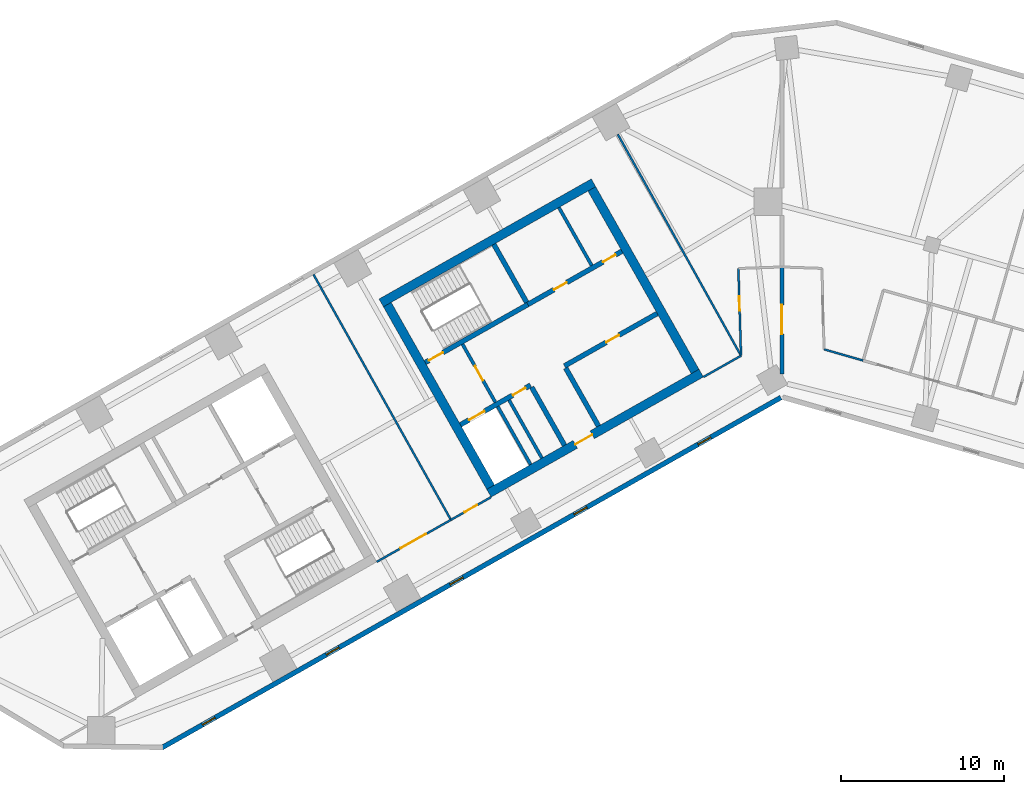
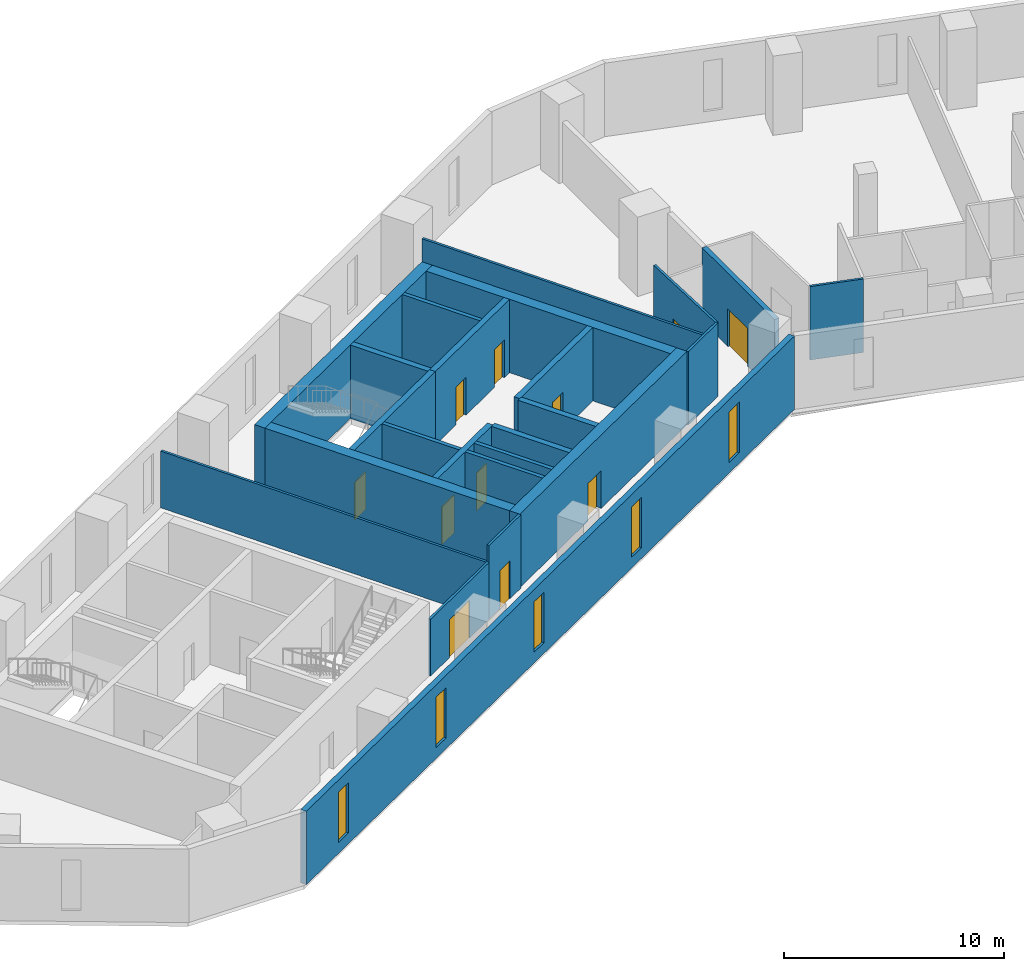
# One storey, part 4 of 10: 24 walls, 12 doors, 5 windows, 17 openings.
"""IFC4 building model written with IfcOpenShell, lengths in metres."""

import ifcopenshell
import ifcopenshell.guid

model = None  # the IFC model being written
_history = None  # IfcOwnerHistory: only IFC2X3 demands one
_inside = {}  # id of a spatial element -> (the spatial element, [elements in it])
_under = {}  # id of a project, library or spatial element -> (it, [spatial elements below it])
_declared = {}  # id of a project -> (the project, [libraries it declares])
_typed = {}  # id of a type object -> (the type object, [elements of that type])
_made_of = {}  # id of a material, layer set ... -> (it, [elements and type objects made of it])


def new_model(schema):
    """Start an empty IFC model of exactly this schema.

    Asked for "IFC4X3", IfcOpenShell would pick the latest addendum, in which some entities
    have other attributes; the version numbers below select the first issue.
    IFC2X3 requires an IfcOwnerHistory on every rooted entity: one is made here for all.
    """
    global model, _history
    if schema == "IFC4X3":
        model = ifcopenshell.file(schema_version=(4, 3, 0, 0))
    else:
        model = ifcopenshell.file(schema=schema)
    _inside.clear()
    _under.clear()
    _declared.clear()
    _typed.clear()
    _made_of.clear()
    _history = None
    if model.schema == "IFC2X3":
        org = make("IfcOrganization", Name="unknown")
        user = make(
            "IfcPersonAndOrganization",
            ThePerson=make("IfcPerson", FamilyName="unknown"),
            TheOrganization=org,
        )
        app = make(
            "IfcApplication",
            ApplicationDeveloper=org,
            Version="unknown",
            ApplicationFullName="unknown",
            ApplicationIdentifier="unknown",
        )
        _history = make(
            "IfcOwnerHistory",
            OwningUser=user,
            OwningApplication=app,
            ChangeAction="ADDED",
            CreationDate=0,
        )
    return model


def make(cls, **values):
    """One entity of the class cls with the attributes given. An attribute that is None is left unset."""
    return model.create_entity(
        cls, **{name: value for name, value in values.items() if value is not None}
    )


def rooted(cls, **values):
    """An entity with a GlobalId (a new one), such as an element, a storey or a relation."""
    return make(cls, GlobalId=ifcopenshell.guid.new(), OwnerHistory=_history, **values)


def si_unit(unit_type, name, prefix=None):
    """IfcSIUnit, for example si_unit("LENGTHUNIT", "METRE", prefix="MILLI")."""
    return make("IfcSIUnit", UnitType=unit_type, Prefix=prefix, Name=name)


def assignment(units):
    """IfcUnitAssignment: the units of a project."""
    return None if units is None else make("IfcUnitAssignment", Units=units)


def point(xyz):
    """IfcCartesianPoint."""
    return None if xyz is None else make("IfcCartesianPoint", Coordinates=xyz)


def direction(xyz):
    """IfcDirection."""
    return None if xyz is None else make("IfcDirection", DirectionRatios=xyz)


def frame(location, z_axis=None, x_axis=None):
    """IfcAxis2Placement3D, a coordinate frame: its origin and axes. An axis left out is left unset."""
    return make(
        "IfcAxis2Placement3D",
        Location=point(location),
        Axis=direction(z_axis),
        RefDirection=direction(x_axis),
    )


def frame_2d(location, x_axis=None):
    """IfcAxis2Placement2D, a coordinate frame in the plane: its origin and x axis."""
    return make(
        "IfcAxis2Placement2D", Location=point(location), RefDirection=direction(x_axis)
    )


def origin():
    """The frame at (0, 0, 0) with its axes left unset."""
    return frame((0.0, 0.0, 0.0))


def place(relative_to, where):
    """IfcLocalPlacement: puts the frame where relative to a parent placement (None: the world)."""
    return make(
        "IfcLocalPlacement", PlacementRelTo=relative_to, RelativePlacement=where
    )


def context(
    kind, dimensions, precision=None, world=None, true_north=None, identifier=None
):
    """IfcGeometricRepresentationContext, for example the 3D "Model" context."""
    return make(
        "IfcGeometricRepresentationContext",
        ContextIdentifier=identifier,
        ContextType=kind,
        CoordinateSpaceDimension=dimensions,
        Precision=precision,
        WorldCoordinateSystem=world,
        TrueNorth=true_north,
    )


def subcontext(parent, identifier, kind, view, scale=None):
    """IfcGeometricRepresentationSubContext, for example "Body" below "Model"."""
    return make(
        "IfcGeometricRepresentationSubContext",
        ContextIdentifier=identifier,
        ContextType=kind,
        ParentContext=parent,
        TargetScale=scale,
        TargetView=view,
    )


def project(units=None, contexts=None):
    """IfcProject with its units and contexts."""
    return rooted(
        "IfcProject",
        Name="project",
        RepresentationContexts=contexts,
        UnitsInContext=assignment(units),
    )


def spatial(cls, under=None, at=None, **own):
    """A site, building, storey or space (cls), placed at a placement, below another one or the project."""
    s = rooted(cls, ObjectPlacement=at, **own)
    if under is not None:
        _under.setdefault(under.id(), (under, []))[1].append(s)
    return s


def profile(cls, at=None, kind="AREA", **sizes):
    """A parametric profile (cls). Its sizes go by their IFC names, for example OverallWidth=200.0."""
    return make(cls, ProfileType=kind, Position=at, **sizes)


def rectangle(**sizes):
    """IfcRectangleProfileDef."""
    return profile("IfcRectangleProfileDef", **sizes)


def extrude(swept, where, along, depth):
    """IfcExtrudedAreaSolid: the profile swept, set in the frame where, extruded along a direction by depth."""
    return make(
        "IfcExtrudedAreaSolid",
        SweptArea=swept,
        Position=where,
        ExtrudedDirection=direction(along),
        Depth=depth,
    )


def shape(context_of_items, identifier, shape_type, items):
    """IfcShapeRepresentation: the items that make up one representation, for example the "Body"."""
    return make(
        "IfcShapeRepresentation",
        ContextOfItems=context_of_items,
        RepresentationIdentifier=identifier,
        RepresentationType=shape_type,
        Items=items,
    )


def material(Name=None, Category=None):
    """IfcMaterial."""
    return make("IfcMaterial", Name=Name, Category=Category)


def layer(
    of_material, thickness, ventilated=None, Name=None, Category=None, Priority=None
):
    """IfcMaterialLayer: one layer of a wall or slab, of a material (None: an air gap)."""
    return make(
        "IfcMaterialLayer",
        Material=of_material,
        LayerThickness=thickness,
        IsVentilated=ventilated,
        Name=Name,
        Category=Category,
        Priority=Priority,
    )


def layer_set(layers, Name=None):
    """IfcMaterialLayerSet."""
    return make("IfcMaterialLayerSet", MaterialLayers=layers, LayerSetName=Name)


def made_of(thing, what):
    """Note that an element or type object is made of a material, layer set ...; save() writes the relation."""
    if what is not None:
        _made_of.setdefault(what.id(), (what, []))[1].append(thing)
    return thing


def type_object(cls, material=None, **own):
    """A type object (cls), such as IfcWallType, which elements share."""
    return made_of(rooted(cls, **own), material)


def element(
    cls,
    number,
    at=None,
    inside=None,
    cuts=None,
    type_object=None,
    material=None,
    context=None,
    identifier="Body",
    shape_type=None,
    held_by="IfcProductDefinitionShape",
    body=None,
    shapes=None,
    **own,
):
    """One element of the class cls, such as IfcWall. Its Tag is "e" and its number.

    at: its placement. inside: the storey or other place that contains it. cuts: it is an
    opening in that element (IfcRelVoidsElement). A single representation is given by context,
    identifier, shape_type and body (its items); several are given by shapes. held_by: the class
    of the entity that holds the representations. save() writes the other relations.
    """
    e = rooted(cls, Tag="e%d" % number, ObjectPlacement=at, **own)
    if body is not None:
        shapes = [shape(context, identifier, shape_type, body)]
    if shapes is not None:
        e.Representation = make(held_by, Representations=shapes)
    if inside is not None:
        _inside.setdefault(inside.id(), (inside, []))[1].append(e)
    if cuts is not None:
        rooted(
            "IfcRelVoidsElement", RelatingBuildingElement=cuts, RelatedOpeningElement=e
        )
    if type_object is not None:
        _typed.setdefault(type_object.id(), (type_object, []))[1].append(e)
    return made_of(e, material)


def fill(opening, filler):
    """IfcRelFillsElement: the door or window that sits in an opening."""
    return rooted(
        "IfcRelFillsElement",
        RelatingOpeningElement=opening,
        RelatedBuildingElement=filler,
    )


def aggregate(whole, parts):
    """IfcRelAggregates: a whole, such as a stair, and the parts it consists of."""
    return rooted("IfcRelAggregates", RelatingObject=whole, RelatedObjects=parts)


def save(model, path):
    """Write the relations noted so far, then the file.

    IfcRelAggregates (storeys below a building ...), IfcRelContainedInSpatialStructure (elements
    in a storey), IfcRelDefinesByType, IfcRelAssociatesMaterial and IfcRelDeclares: one each for
    every whole, place, type object, material and project.
    """
    for whole, parts in _under.values():
        aggregate(whole, parts)
    for where, things in _inside.values():
        rooted(
            "IfcRelContainedInSpatialStructure",
            RelatedElements=things,
            RelatingStructure=where,
        )
    for kind, things in _typed.values():
        rooted("IfcRelDefinesByType", RelatedObjects=things, RelatingType=kind)
    for what, things in _made_of.values():
        rooted("IfcRelAssociatesMaterial", RelatedObjects=things, RelatingMaterial=what)
    for by, libraries in _declared.values():
        rooted("IfcRelDeclares", RelatingContext=by, RelatedDefinitions=libraries)
    model.write(path)


model = new_model("IFC4")

# Units and contexts
model_context = context("Model", 3, precision=1e-05, world=origin(), true_north=direction((0.0, 1.0)))
body_context = subcontext(model_context, "Body", "Model", "MODEL_VIEW")
ifc_project = project(units=[si_unit("LENGTHUNIT", "METRE"), si_unit("AREAUNIT", "SQUARE_METRE"), si_unit("VOLUMEUNIT", "CUBIC_METRE"), si_unit("PLANEANGLEUNIT", "RADIAN"), si_unit("MASSUNIT", "GRAM", prefix="KILO")], contexts=[model_context])

# Site, building, storey
site_placement = place(None, origin())
site = spatial("IfcSite", under=ifc_project, at=site_placement, CompositionType="ELEMENT")
building_placement = place(site_placement, origin())
building = spatial("IfcBuilding", under=site, at=building_placement, Name="Binnacle Exchange Tower", CompositionType="ELEMENT")
storey_placement = place(building_placement, frame((0.0, 0.0, 101.5)))
storey = spatial("IfcBuildingStorey", under=building, at=storey_placement, Name="L20", CompositionType="ELEMENT", Elevation=101.5)

# Wall
ifc_material_1 = material(Name="Gypsum partition fire rated")
ifc_layer_1 = layer(ifc_material_1, 0.199951171875)
ifc_layer_set_1 = layer_set([ifc_layer_1], Name="Core partition 200")
wall_type_1 = type_object("IfcWallType", Name="Core partition 200", PredefinedType="PARTITIONING", material=ifc_layer_set_1)
wall_1_placement = place(storey_placement, frame((-13.70751953125, 59.655517578125, 0.0), z_axis=(0.0, 0.0, 1.0), x_axis=(0.492428039142, -0.870353161807, 0.0)))
element("IfcWall", 1, at=wall_1_placement, inside=storey, type_object=wall_type_1, Name="Core wall CRWC20", PredefinedType="PARTITIONING", context=body_context, shape_type="SweptSolid", body=[
    extrude(rectangle(XDim=4.10009765625, YDim=0.199951171875, at=frame_2d((2.050048828125, 0.0))), origin(), (0.0, 0.0, 1.0), 4.080078125),
])

# Wall, openings, doors
ifc_material_2 = material(Name="Concrete C70/85", Category="concrete")
ifc_layer_2 = layer(ifc_material_2, 0.300048828125)
ifc_layer_set_2 = layer_set([ifc_layer_2], Name="Core wall - front 300")
wall_type_2 = type_object("IfcWallType", Name="Core wall - front 300", PredefinedType="SOLIDWALL", material=ifc_layer_set_2)
wall_2_placement = place(storey_placement, frame((-19.76171875, 46.291748046875, 0.0), z_axis=(0.0, 0.0, 1.0), x_axis=(0.870359758983, 0.49241637863, 0.0)))
wall_2 = element("IfcWall", 2, at=wall_2_placement, inside=storey, type_object=wall_type_2, Name="Core wall CRWC2", PredefinedType="SOLIDWALL", context=body_context, shape_type="SweptSolid", body=[
    extrude(rectangle(XDim=4.9501953125, YDim=0.300048828125, at=frame_2d((2.47509765625, 0.0))), origin(), (0.0, 0.0, 1.0), 4.080078125),
])
opening_1_placement = place(wall_2_placement, frame((0.60009765625, 0.0, 0.0)))
opening_1 = element("IfcOpeningElement", 3, at=opening_1_placement, cuts=wall_2, Name="Opening LD14", PredefinedType="OPENING", context=body_context, shape_type="SweptSolid", body=[
    extrude(rectangle(XDim=1.10009765625, YDim=2.10009765625, at=frame_2d((0.550048828125, 1.050048828125))), frame((0.0, 0.159912109375, 0.0), z_axis=(0.0, -1.0, 0.0), x_axis=(1.0, 0.0, 0.0)), (0.0, 0.0, 1.0), 0.320068359375),
])
opening_2_placement = place(wall_2_placement, frame((3.699951171875, 0.0, 0.0)))
opening_2 = element("IfcOpeningElement", 4, at=opening_2_placement, cuts=wall_2, Name="Opening DC14", PredefinedType="OPENING", context=body_context, shape_type="SweptSolid", body=[
    extrude(rectangle(XDim=0.89990234375, YDim=2.10009765625, at=frame_2d((0.449951171875, 1.050048828125))), frame((0.0, 0.159912109375, 0.0), z_axis=(0.0, -1.0, 0.0), x_axis=(1.0, 0.0, 0.0)), (0.0, 0.0, 1.0), 0.320068359375),
])
ifc_material_3 = material(Name="Steel door leaf", Category="steel")
door_type_1 = type_object("IfcDoorType", Name="Fire door - lift landing 1100", OperationType="NOTDEFINED", PredefinedType="DOOR", material=ifc_material_3)
door_1_placement = place(opening_1_placement, origin())
door_1 = element("IfcDoor", 5, at=door_1_placement, inside=storey, type_object=door_type_1, Name="Landing door LD14 L20", OperationType="DOUBLE_DOOR_SLIDING", OverallHeight=2.10009765625, OverallWidth=1.10009765625, PredefinedType="DOOR", context=body_context, shape_type="SweptSolid", body=[
    extrude(rectangle(XDim=1.10009765625, YDim=2.10009765625, at=frame_2d((0.550048828125, 1.050048828125))), frame((0.0, 0.02490234375, 0.0), z_axis=(0.0, -1.0, 0.0), x_axis=(1.0, 0.0, 0.0)), (0.0, 0.0, 1.0), 0.050048828125),
])
fill(opening_1, door_1)
door_type_2 = type_object("IfcDoorType", Name="Fire door 900", OperationType="NOTDEFINED", PredefinedType="DOOR", material=ifc_material_3)
door_2_placement = place(opening_2_placement, frame((0.89990234375, 0.0, 0.0), z_axis=(0.0, 0.0, 1.0), x_axis=(-1.0, 0.0, 0.0)))
door_2 = element("IfcDoor", 6, at=door_2_placement, inside=storey, type_object=door_type_2, Name="Core room door IT STORE", OperationType="SINGLE_SWING_LEFT", OverallHeight=2.10009765625, OverallWidth=0.89990234375, PredefinedType="DOOR", context=body_context, shape_type="SweptSolid", body=[
    extrude(rectangle(XDim=0.89990234375, YDim=2.10009765625, at=frame_2d((0.449951171875, 1.050048828125))), frame((0.0, 0.02490234375, 0.0), z_axis=(0.0, -1.0, 0.0), x_axis=(1.0, 0.0, 0.0)), (0.0, 0.0, 1.0), 0.050048828125),
])
fill(opening_2, door_2)

# Wall, opening, door
wall_3_placement = place(storey_placement, frame((-13.364501953125, 49.910888671875, 0.0), z_axis=(0.0, 0.0, 1.0), x_axis=(0.870336435567, 0.492457601144, 0.0)))
wall_3 = element("IfcWall", 7, at=wall_3_placement, inside=storey, type_object=wall_type_2, Name="Core wall CRWC3", PredefinedType="SOLIDWALL", context=body_context, shape_type="SweptSolid", body=[
    extrude(rectangle(XDim=6.550048828125, YDim=0.300048828125, at=frame_2d((3.27490234375, 0.0))), origin(), (0.0, 0.0, 1.0), 4.080078125),
])
opening_3_placement = place(wall_3_placement, frame((2.949951171875, 0.0, 0.0)))
opening_3 = element("IfcOpeningElement", 8, at=opening_3_placement, cuts=wall_3, Name="Opening DC18", PredefinedType="OPENING", context=body_context, shape_type="SweptSolid", body=[
    extrude(rectangle(XDim=0.89990234375, YDim=2.10009765625, at=frame_2d((0.449951171875, 1.050048828125))), frame((0.0, 0.159912109375, 0.0), z_axis=(0.0, -1.0, 0.0), x_axis=(1.0, 0.0, 0.0)), (0.0, 0.0, 1.0), 0.320068359375),
])
door_3_placement = place(opening_3_placement, frame((0.89990234375, 0.0, 0.0), z_axis=(0.0, 0.0, 1.0), x_axis=(-1.0, 0.0, 0.0)))
door_3 = element("IfcDoor", 9, at=door_3_placement, inside=storey, type_object=door_type_2, Name="Core room door STAFF PANTRY AND STORE", OperationType="SINGLE_SWING_LEFT", OverallHeight=2.10009765625, OverallWidth=0.89990234375, PredefinedType="DOOR", context=body_context, shape_type="SweptSolid", body=[
    extrude(rectangle(XDim=0.89990234375, YDim=2.10009765625, at=frame_2d((0.449951171875, 1.050048828125))), frame((0.0, 0.02490234375, 0.0), z_axis=(0.0, -1.0, 0.0), x_axis=(1.0, 0.0, 0.0)), (0.0, 0.0, 1.0), 0.050048828125),
])
fill(opening_3, door_3)

# Wall, openings, doors
wall_4_placement = place(storey_placement, frame((-15.6181640625, 53.69140625, 0.0), z_axis=(0.0, 0.0, 1.0), x_axis=(0.870367894134, 0.492401999246, 0.0)))
wall_4 = element("IfcWall", 10, at=wall_4_placement, inside=storey, type_object=wall_type_2, Name="Core wall CRWC5", PredefinedType="SOLIDWALL", context=body_context, shape_type="SweptSolid", body=[
    extrude(rectangle(XDim=6.64990234375, YDim=0.300048828125, at=frame_2d((3.324951171875, 0.0))), origin(), (0.0, 0.0, 1.0), 4.080078125),
])
opening_4_placement = place(wall_4_placement, frame((1.85009765625, 0.0, 0.0)))
opening_4 = element("IfcOpeningElement", 11, at=opening_4_placement, cuts=wall_4, Name="Opening DC10", PredefinedType="OPENING", context=body_context, shape_type="SweptSolid", body=[
    extrude(rectangle(XDim=0.89990234375, YDim=2.10009765625, at=frame_2d((0.449951171875, 1.050048828125))), frame((0.0, 0.159912109375, 0.0), z_axis=(0.0, -1.0, 0.0), x_axis=(1.0, 0.0, 0.0)), (0.0, 0.0, 1.0), 0.320068359375),
])
opening_5_placement = place(wall_4_placement, frame((5.300048828125, 0.0, 0.0)))
opening_5 = element("IfcOpeningElement", 12, at=opening_5_placement, cuts=wall_4, Name="Opening DC11", PredefinedType="OPENING", context=body_context, shape_type="SweptSolid", body=[
    extrude(rectangle(XDim=0.89990234375, YDim=2.10009765625, at=frame_2d((0.449951171875, 1.050048828125))), frame((0.0, 0.159912109375, 0.0), z_axis=(0.0, -1.0, 0.0), x_axis=(1.0, 0.0, 0.0)), (0.0, 0.0, 1.0), 0.320068359375),
])
door_4_placement = place(opening_4_placement, origin())
door_4 = element("IfcDoor", 13, at=door_4_placement, inside=storey, type_object=door_type_2, Name="Core room door TELECOM RISER ROOM", OperationType="SINGLE_SWING_LEFT", OverallHeight=2.10009765625, OverallWidth=0.89990234375, PredefinedType="DOOR", context=body_context, shape_type="SweptSolid", body=[
    extrude(rectangle(XDim=0.89990234375, YDim=2.10009765625, at=frame_2d((0.449951171875, 1.050048828125))), frame((0.0, 0.02490234375, 0.0), z_axis=(0.0, -1.0, 0.0), x_axis=(1.0, 0.0, 0.0)), (0.0, 0.0, 1.0), 0.050048828125),
])
fill(opening_4, door_4)
door_5_placement = place(opening_5_placement, origin())
door_5 = element("IfcDoor", 14, at=door_5_placement, inside=storey, type_object=door_type_2, Name="Core room door IT STORE", OperationType="SINGLE_SWING_RIGHT", OverallHeight=2.10009765625, OverallWidth=0.89990234375, PredefinedType="DOOR", context=body_context, shape_type="SweptSolid", body=[
    extrude(rectangle(XDim=0.89990234375, YDim=2.10009765625, at=frame_2d((0.449951171875, 1.050048828125))), frame((0.0, 0.02490234375, 0.0), z_axis=(0.0, -1.0, 0.0), x_axis=(1.0, 0.0, 0.0)), (0.0, 0.0, 1.0), 0.050048828125),
])
fill(opening_5, door_5)

# Walls
wall_5_placement = place(storey_placement, frame((-15.37939453125, 48.5986328125, 0.0), z_axis=(0.0, 0.0, 1.0), x_axis=(0.492408451753, -0.87036424366, 0.0)))
element("IfcWall", 15, at=wall_5_placement, inside=storey, type_object=wall_type_2, Name="Core wall CRWC13", PredefinedType="SOLIDWALL", context=body_context, shape_type="SweptSolid", body=[
    extrude(rectangle(XDim=4.099853515625, YDim=0.300048828125, at=frame_2d((2.0498046875, 0.0))), origin(), (0.0, 0.0, 1.0), 4.080078125),
])
wall_6_placement = place(storey_placement, frame((-13.29052734375, 49.780517578125, 0.0), z_axis=(0.0, 0.0, 1.0), x_axis=(0.492382931784, -0.870378681085, 0.0)))
element("IfcWall", 16, at=wall_6_placement, inside=storey, type_object=wall_type_2, Name="Core wall CRWC15", PredefinedType="SOLIDWALL", context=body_context, shape_type="SweptSolid", body=[
    extrude(rectangle(XDim=4.10009765625, YDim=0.300048828125, at=frame_2d((2.050048828125, 0.0))), origin(), (0.0, 0.0, 1.0), 4.080078125),
])

# Wall, opening, door
ifc_layer_3 = layer(ifc_material_2, 0.550048828125)
ifc_layer_set_3 = layer_set([ifc_layer_3], Name="Core wall - outer 550")
wall_type_3 = type_object("IfcWallType", Name="Core wall - outer 550", PredefinedType="SOLIDWALL", material=ifc_layer_set_3)
wall_7_placement = place(storey_placement, frame((-18.01220703125, 42.08251953125, 0.0), z_axis=(0.0, 0.0, 1.0), x_axis=(0.870360574057, 0.492414937962, 0.0)))
wall_7 = element("IfcWall", 17, at=wall_7_placement, inside=storey, type_object=wall_type_3, Name="Core wall CRWC1", PredefinedType="SOLIDWALL", context=body_context, shape_type="SweptSolid", body=[
    extrude(rectangle(XDim=15.0, YDim=0.550048828125, at=frame_2d((7.5, 0.0))), origin(), (0.0, 0.0, 1.0), 4.080078125),
])
opening_6_placement = place(wall_7_placement, frame((6.10009765625, 0.0, 0.0)))
opening_6 = element("IfcOpeningElement", 18, at=opening_6_placement, cuts=wall_7, Name="Opening DC7", PredefinedType="OPENING", context=body_context, shape_type="SweptSolid", body=[
    extrude(rectangle(XDim=1.199951171875, YDim=2.10009765625, at=frame_2d((0.60009765625, 1.050048828125))), frame((0.0, 0.284912109375, 0.0), z_axis=(0.0, -1.0, 0.0), x_axis=(1.0, 0.0, 0.0)), (0.0, 0.0, 1.0), 0.570068359375),
])
door_type_3 = type_object("IfcDoorType", Name="Fire door 1200", OperationType="NOTDEFINED", PredefinedType="DOOR", material=ifc_material_3)
door_6_placement = place(opening_6_placement, frame((1.199951171875, 0.0, 0.0), z_axis=(0.0, 0.0, 1.0), x_axis=(-1.0, 0.0, 0.0)))
door_6 = element("IfcDoor", 19, at=door_6_placement, inside=storey, type_object=door_type_3, Name="Lift lobby entrance door core C", OperationType="SINGLE_SWING_RIGHT", OverallHeight=2.10009765625, OverallWidth=1.199951171875, PredefinedType="DOOR", context=body_context, shape_type="SweptSolid", body=[
    extrude(rectangle(XDim=1.199951171875, YDim=2.10009765625, at=frame_2d((0.60009765625, 1.050048828125))), frame((0.0, 0.02490234375, 0.0), z_axis=(0.0, -1.0, 0.0), x_axis=(1.0, 0.0, 0.0)), (0.0, 0.0, 1.0), 0.050048828125),
])
fill(opening_6, door_6)

# Walls
wall_8_placement = place(storey_placement, frame((-24.63525390625, 53.788818359375, 0.0), z_axis=(0.0, 0.0, 1.0), x_axis=(0.870360574057, 0.492414937962, 0.0)))
element("IfcWall", 20, at=wall_8_placement, inside=storey, type_object=wall_type_3, Name="Core wall CRWC6", PredefinedType="SOLIDWALL", context=body_context, shape_type="SweptSolid", body=[
    extrude(rectangle(XDim=15.0, YDim=0.550048828125, at=frame_2d((7.5, 0.0))), origin(), (0.0, 0.0, 1.0), 4.080078125),
])
for number, where, z_axis, x_axis, name in (
    (21, (-24.260498046875, 53.684814453125, 0.0), (0.0, 0.0, 1.0), (0.492427022044, -0.870353737259, 0.0), "Core wall CRWC7"),
    (22, (-11.683837890625, 60.80029296875, 0.0), (0.0, 0.0, 1.0), (0.492427022044, -0.870353737259, 0.0), "Core wall CRWC24"),
):
    element("IfcWall", number, at=place(storey_placement, frame(where, z_axis=z_axis, x_axis=x_axis)), inside=storey, type_object=wall_type_3, Name=name, PredefinedType="SOLIDWALL", context=body_context, shape_type="SweptSolid", body=[
        extrude(rectangle(XDim=12.89990234375, YDim=0.550048828125, at=frame_2d((6.449951171875, 0.0))), origin(), (0.0, 0.0, 1.0), 4.080078125),
    ])

# Wall, opening, door
ifc_layer_4 = layer(ifc_material_2, 0.300048828125)
ifc_layer_set_4 = layer_set([ifc_layer_4], Name="Core wall - stair 300")
wall_type_4 = type_object("IfcWallType", Name="Core wall - stair 300", PredefinedType="SOLIDWALL", material=ifc_layer_set_4)
wall_9_placement = place(storey_placement, frame((-21.92822265625, 50.12109375, 0.0), z_axis=(0.0, 0.0, 1.0), x_axis=(0.870340732628, 0.49245000673, 0.0)))
wall_9 = element("IfcWall", 23, at=wall_9_placement, inside=storey, type_object=wall_type_4, Name="Core wall CRWC4", PredefinedType="SOLIDWALL", context=body_context, shape_type="SweptSolid", body=[
    extrude(rectangle(XDim=7.25, YDim=0.300048828125, at=frame_2d((3.625, 0.0))), origin(), (0.0, 0.0, 1.0), 4.080078125),
])
opening_7_placement = place(wall_9_placement, frame((0.25, 0.0, 0.0)))
opening_7 = element("IfcOpeningElement", 24, at=opening_7_placement, cuts=wall_9, Name="Opening DC1", PredefinedType="OPENING", context=body_context, shape_type="SweptSolid", body=[
    extrude(rectangle(XDim=1.0, YDim=2.10009765625, at=frame_2d((0.5, 1.050048828125))), frame((0.0, 0.159912109375, 0.0), z_axis=(0.0, -1.0, 0.0), x_axis=(1.0, 0.0, 0.0)), (0.0, 0.0, 1.0), 0.320068359375),
])
door_type_4 = type_object("IfcDoorType", Name="Fire door 1000", OperationType="NOTDEFINED", PredefinedType="DOOR", material=ifc_material_3)
door_7_placement = place(opening_7_placement, origin())
door_7 = element("IfcDoor", 25, at=door_7_placement, inside=storey, type_object=door_type_4, Name="Stair door ST-C1", OperationType="SINGLE_SWING_LEFT", OverallHeight=2.10009765625, OverallWidth=1.0, PredefinedType="DOOR", context=body_context, shape_type="SweptSolid", body=[
    extrude(rectangle(XDim=1.0, YDim=2.10009765625, at=frame_2d((0.5, 1.050048828125))), frame((0.0, 0.02490234375, 0.0), z_axis=(0.0, -1.0, 0.0), x_axis=(1.0, 0.0, 0.0)), (0.0, 0.0, 1.0), 0.050048828125),
])
fill(opening_7, door_7)

# Wall
wall_10_placement = place(storey_placement, frame((-17.7109375, 57.390380859375, 0.0), z_axis=(0.0, 0.0, 1.0), x_axis=(0.492408451753, -0.87036424366, 0.0)))
element("IfcWall", 26, at=wall_10_placement, inside=storey, type_object=wall_type_4, Name="Core wall CRWC14", PredefinedType="SOLIDWALL", context=body_context, shape_type="SweptSolid", body=[
    extrude(rectangle(XDim=4.099853515625, YDim=0.300048828125, at=frame_2d((2.0498046875, 0.0))), origin(), (0.0, 0.0, 1.0), 4.080078125),
])

# Wall, openings, windows
ifc_material_4 = material(Name="Bronze aluminium cladding", Category="aluminium")
ifc_layer_5 = layer(ifc_material_4, 0.300048828125)
ifc_layer_set_5 = layer_set([ifc_layer_5], Name="External wall - spandrel 300")
wall_type_5 = type_object("IfcWallType", Name="External wall - spandrel 300", PredefinedType="STANDARD", material=ifc_layer_set_5)
wall_11_placement = place(storey_placement, frame((-0.0546875, 47.968994140625, 0.0), z_axis=(0.0, 0.0, 1.0), x_axis=(-0.870355730478, -0.492423499058, 0.0)))
wall_11 = element("IfcWall", 27, at=wall_11_placement, inside=storey, type_object=wall_type_5, Name="External wall EW-F07 L20", PredefinedType="STANDARD", context=body_context, shape_type="SweptSolid", body=[
    extrude(rectangle(XDim=43.750244140625, YDim=0.300048828125, at=frame_2d((21.875, 0.0))), origin(), (0.0, 0.0, 1.0), 4.080078125),
])
opening_8_placement = place(wall_11_placement, frame((39.976806640625, 0.0, 0.60009765625)))
opening_8 = element("IfcOpeningElement", 28, at=opening_8_placement, cuts=wall_11, Name="Opening WS2", PredefinedType="OPENING", context=body_context, shape_type="SweptSolid", body=[
    extrude(rectangle(XDim=0.89990234375, YDim=2.800048828125, at=frame_2d((0.449951171875, 1.39990234375))), frame((0.0, 0.159912109375, 0.0), z_axis=(0.0, -1.0, 0.0), x_axis=(1.0, 0.0, 0.0)), (0.0, 0.0, 1.0), 0.320068359375),
])
opening_9_placement = place(wall_11_placement, frame((31.222412109375, 0.0, 0.60009765625)))
opening_9 = element("IfcOpeningElement", 29, at=opening_9_placement, cuts=wall_11, Name="Opening WS2", PredefinedType="OPENING", context=body_context, shape_type="SweptSolid", body=[
    extrude(rectangle(XDim=0.89990234375, YDim=2.800048828125, at=frame_2d((0.449951171875, 1.39990234375))), frame((0.0, 0.159912109375, 0.0), z_axis=(0.0, -1.0, 0.0), x_axis=(1.0, 0.0, 0.0)), (0.0, 0.0, 1.0), 0.320068359375),
])
opening_10_placement = place(wall_11_placement, frame((22.4677734375, 0.0, 0.60009765625)))
opening_10 = element("IfcOpeningElement", 30, at=opening_10_placement, cuts=wall_11, Name="Opening WS2", PredefinedType="OPENING", context=body_context, shape_type="SweptSolid", body=[
    extrude(rectangle(XDim=0.89990234375, YDim=2.800048828125, at=frame_2d((0.449951171875, 1.39990234375))), frame((0.0, 0.159912109375, 0.0), z_axis=(0.0, -1.0, 0.0), x_axis=(1.0, 0.0, 0.0)), (0.0, 0.0, 1.0), 0.320068359375),
])
opening_11_placement = place(wall_11_placement, frame((13.713134765625, 0.0, 0.60009765625)))
opening_11 = element("IfcOpeningElement", 31, at=opening_11_placement, cuts=wall_11, Name="Opening WS2", PredefinedType="OPENING", context=body_context, shape_type="SweptSolid", body=[
    extrude(rectangle(XDim=0.89990234375, YDim=2.800048828125, at=frame_2d((0.449951171875, 1.39990234375))), frame((0.0, 0.159912109375, 0.0), z_axis=(0.0, -1.0, 0.0), x_axis=(1.0, 0.0, 0.0)), (0.0, 0.0, 1.0), 0.320068359375),
])
opening_12_placement = place(wall_11_placement, frame((4.958740234375, 0.0, 0.60009765625)))
opening_12 = element("IfcOpeningElement", 32, at=opening_12_placement, cuts=wall_11, Name="Opening WS2", PredefinedType="OPENING", context=body_context, shape_type="SweptSolid", body=[
    extrude(rectangle(XDim=0.89990234375, YDim=2.800048828125, at=frame_2d((0.449951171875, 1.39990234375))), frame((0.0, 0.159912109375, 0.0), z_axis=(0.0, -1.0, 0.0), x_axis=(1.0, 0.0, 0.0)), (0.0, 0.0, 1.0), 0.320068359375),
])
ifc_material_5 = material(Name="Bronze anodised aluminium frame", Category="aluminium")
window_type = type_object("IfcWindowType", Name="WS2 WINDOW 900x2800", PartitioningType="SINGLE_PANEL", PredefinedType="WINDOW", material=ifc_material_5)
window_1_placement = place(opening_8_placement, origin())
window_1 = element("IfcWindow", 33, at=window_1_placement, inside=storey, type_object=window_type, Name="Window WS2 L20", OverallHeight=2.800048828125, OverallWidth=0.89990234375, PartitioningType="SINGLE_PANEL", PredefinedType="WINDOW", context=body_context, shape_type="SweptSolid", body=[
    extrude(rectangle(XDim=0.89990234375, YDim=2.800048828125, at=frame_2d((0.449951171875, 1.39990234375))), frame((0.0, 0.030029296875, 0.0), z_axis=(0.0, -1.0, 0.0), x_axis=(1.0, 0.0, 0.0)), (0.0, 0.0, 1.0), 0.06005859375),
])
fill(opening_8, window_1)
window_2_placement = place(opening_9_placement, origin())
window_2 = element("IfcWindow", 34, at=window_2_placement, inside=storey, type_object=window_type, Name="Window WS2 L20", OverallHeight=2.800048828125, OverallWidth=0.89990234375, PartitioningType="SINGLE_PANEL", PredefinedType="WINDOW", context=body_context, shape_type="SweptSolid", body=[
    extrude(rectangle(XDim=0.89990234375, YDim=2.800048828125, at=frame_2d((0.449951171875, 1.39990234375))), frame((0.0, 0.030029296875, 0.0), z_axis=(0.0, -1.0, 0.0), x_axis=(1.0, 0.0, 0.0)), (0.0, 0.0, 1.0), 0.06005859375),
])
fill(opening_9, window_2)
window_3_placement = place(opening_10_placement, origin())
window_3 = element("IfcWindow", 35, at=window_3_placement, inside=storey, type_object=window_type, Name="Window WS2 L20", OverallHeight=2.800048828125, OverallWidth=0.89990234375, PartitioningType="SINGLE_PANEL", PredefinedType="WINDOW", context=body_context, shape_type="SweptSolid", body=[
    extrude(rectangle(XDim=0.89990234375, YDim=2.800048828125, at=frame_2d((0.449951171875, 1.39990234375))), frame((0.0, 0.030029296875, 0.0), z_axis=(0.0, -1.0, 0.0), x_axis=(1.0, 0.0, 0.0)), (0.0, 0.0, 1.0), 0.06005859375),
])
fill(opening_10, window_3)
window_4_placement = place(opening_11_placement, origin())
window_4 = element("IfcWindow", 36, at=window_4_placement, inside=storey, type_object=window_type, Name="Window WS2 L20", OverallHeight=2.800048828125, OverallWidth=0.89990234375, PartitioningType="SINGLE_PANEL", PredefinedType="WINDOW", context=body_context, shape_type="SweptSolid", body=[
    extrude(rectangle(XDim=0.89990234375, YDim=2.800048828125, at=frame_2d((0.449951171875, 1.39990234375))), frame((0.0, 0.030029296875, 0.0), z_axis=(0.0, -1.0, 0.0), x_axis=(1.0, 0.0, 0.0)), (0.0, 0.0, 1.0), 0.06005859375),
])
fill(opening_11, window_4)
window_5_placement = place(opening_12_placement, origin())
window_5 = element("IfcWindow", 37, at=window_5_placement, inside=storey, type_object=window_type, Name="Window WS2 L20", OverallHeight=2.800048828125, OverallWidth=0.89990234375, PartitioningType="SINGLE_PANEL", PredefinedType="WINDOW", context=body_context, shape_type="SweptSolid", body=[
    extrude(rectangle(XDim=0.89990234375, YDim=2.800048828125, at=frame_2d((0.449951171875, 1.39990234375))), frame((0.0, 0.030029296875, 0.0), z_axis=(0.0, -1.0, 0.0), x_axis=(1.0, 0.0, 0.0)), (0.0, 0.0, 1.0), 0.06005859375),
])
fill(opening_12, window_5)

# Wall, opening, door
ifc_material_6 = material(Name="Concrete fire wall C30/37", Category="concrete")
ifc_layer_6 = layer(ifc_material_6, 0.25)
ifc_layer_set_6 = layer_set([ifc_layer_6], Name="Fire wall - compartment 250")
wall_type_6 = type_object("IfcWallType", Name="Fire wall - compartment 250", PredefinedType="PARTITIONING", material=ifc_layer_set_6)
wall_12_placement = place(storey_placement, frame((0.0, 49.422119140625, 0.0), z_axis=(0.0, 0.0, 1.0), x_axis=(0.0, 1.0, 0.0)))
wall_12 = element("IfcWall", 38, at=wall_12_placement, inside=storey, type_object=wall_type_6, Name="Fire Wall W10", PredefinedType="PARTITIONING", context=body_context, shape_type="SweptSolid", body=[
    extrude(rectangle(XDim=6.577880859375, YDim=0.25, at=frame_2d((3.2890625, 0.0))), origin(), (0.0, 0.0, 1.0), 4.080078125),
])
opening_13_placement = place(wall_12_placement, frame((2.449951171875, 0.0, 0.0)))
opening_13 = element("IfcOpeningElement", 39, at=opening_13_placement, cuts=wall_12, Name="Opening DL19-13", PredefinedType="OPENING", context=body_context, shape_type="SweptSolid", body=[
    extrude(rectangle(XDim=1.800048828125, YDim=2.10009765625, at=frame_2d((0.89990234375, 1.050048828125))), frame((0.0, 0.135009765625, 0.0), z_axis=(0.0, -1.0, 0.0), x_axis=(1.0, 0.0, 0.0)), (0.0, 0.0, 1.0), 0.27001953125),
])
door_type_5 = type_object("IfcDoorType", Name="Fire door 1800", OperationType="NOTDEFINED", PredefinedType="DOOR", material=ifc_material_3)
door_8_placement = place(opening_13_placement, origin())
door_8 = element("IfcDoor", 40, at=door_8_placement, inside=storey, type_object=door_type_5, Name="Door DL19-13", OperationType="DOUBLE_DOOR_SINGLE_SWING", OverallHeight=2.10009765625, OverallWidth=1.800048828125, PredefinedType="DOOR", context=body_context, shape_type="SweptSolid", body=[
    extrude(rectangle(XDim=1.800048828125, YDim=2.10009765625, at=frame_2d((0.89990234375, 1.050048828125))), frame((0.0, 0.02490234375, 0.0), z_axis=(0.0, -1.0, 0.0), x_axis=(1.0, 0.0, 0.0)), (0.0, 0.0, 1.0), 0.050048828125),
])
fill(opening_13, door_8)

ifc_material_7 = material(Name="Masonry block wall", Category="masonry")
ifc_layer_7 = layer(ifc_material_7, 0.199951171875)
ifc_layer_set_7 = layer_set([ifc_layer_7], Name="Fire wall - vestibule 200")
wall_type_7 = type_object("IfcWallType", Name="Fire wall - vestibule 200", PredefinedType="PARTITIONING", material=ifc_layer_set_7)
wall_13_placement = place(storey_placement, frame((-19.635009765625, 51.246337890625, 0.0), z_axis=(0.0, 0.0, 1.0), x_axis=(0.492408451753, -0.87036424366, 0.0)))
wall_13 = element("IfcWall", 41, at=wall_13_placement, inside=storey, type_object=wall_type_7, Name="Core wall CRWC10", PredefinedType="PARTITIONING", context=body_context, shape_type="SweptSolid", body=[
    extrude(rectangle(XDim=4.099853515625, YDim=0.199951171875, at=frame_2d((2.0498046875, 0.0))), origin(), (0.0, 0.0, 1.0), 4.080078125),
])
opening_14_placement = place(wall_13_placement, frame((1.550048828125, 0.0, 0.0)))
opening_14 = element("IfcOpeningElement", 42, at=opening_14_placement, cuts=wall_13, Name="Opening DC3", PredefinedType="OPENING", context=body_context, shape_type="SweptSolid", body=[
    extrude(rectangle(XDim=1.0, YDim=2.10009765625, at=frame_2d((0.5, 1.050048828125))), frame((0.0, 0.10986328125, 0.0), z_axis=(0.0, -1.0, 0.0), x_axis=(1.0, 0.0, 0.0)), (0.0, 0.0, 1.0), 0.219970703125),
])
door_9_placement = place(opening_14_placement, frame((1.0, 0.0, 0.0), z_axis=(0.0, 0.0, 1.0), x_axis=(-1.0, 0.0, 0.0)))
door_9 = element("IfcDoor", 43, at=door_9_placement, inside=storey, type_object=door_type_4, Name="Vestibule door VEST-W", OperationType="SINGLE_SWING_RIGHT", OverallHeight=2.10009765625, OverallWidth=1.0, PredefinedType="DOOR", context=body_context, shape_type="SweptSolid", body=[
    extrude(rectangle(XDim=1.0, YDim=2.10009765625, at=frame_2d((0.5, 1.050048828125))), frame((0.0, 0.02490234375, 0.0), z_axis=(0.0, -1.0, 0.0), x_axis=(1.0, 0.0, 0.0)), (0.0, 0.0, 1.0), 0.050048828125),
])
fill(opening_14, door_9)

# Wall
ifc_material_8 = material(Name="Gypsum partition")
ifc_layer_8 = layer(ifc_material_8, 0.125)
ifc_layer_set_8 = layer_set([ifc_layer_8], Name="Partition 125")
wall_type_8 = type_object("IfcWallType", Name="Partition 125", PredefinedType="PARTITIONING", material=ifc_layer_set_8)
wall_14_placement = place(storey_placement, frame((-28.799072265625, 55.533935546875, 0.0), z_axis=(0.0, 0.0, 1.0), x_axis=(0.488587464104, -0.872514922463, 0.0)))
element("IfcWall", 44, at=wall_14_placement, inside=storey, type_object=wall_type_8, Name="Partition W03", PredefinedType="PARTITIONING", context=body_context, shape_type="SweptSolid", body=[
    extrude(rectangle(XDim=17.294677734375, YDim=0.125, at=frame_2d((8.6474609375, 0.0))), origin(), (0.0, 0.0, 1.0), 3.14794921875),
])

# Wall, opening, door
wall_15_placement = place(storey_placement, frame((-24.9189453125, 37.85888671875, 0.0), z_axis=(0.0, 0.0, 1.0), x_axis=(0.870378311622, 0.492383584879, 0.0)))
wall_15 = element("IfcWall", 45, at=wall_15_placement, inside=storey, type_object=wall_type_8, Name="Partition W04", PredefinedType="PARTITIONING", context=body_context, shape_type="SweptSolid", body=[
    extrude(rectangle(XDim=5.25048828125, YDim=0.125, at=frame_2d((2.625244140625, 0.0))), origin(), (0.0, 0.0, 1.0), 3.14794921875),
])
opening_15_placement = place(wall_15_placement, frame((1.699951171875, 0.0, 0.0)))
opening_15 = element("IfcOpeningElement", 46, at=opening_15_placement, cuts=wall_15, Name="Opening DL19-01", PredefinedType="OPENING", context=body_context, shape_type="SweptSolid", body=[
    extrude(rectangle(XDim=1.800048828125, YDim=2.10009765625, at=frame_2d((0.89990234375, 1.050048828125))), frame((0.0, 0.072509765625, 0.0), z_axis=(0.0, -1.0, 0.0), x_axis=(1.0, 0.0, 0.0)), (0.0, 0.0, 1.0), 0.14501953125),
])
ifc_material_9 = material(Name="Timber door leaf", Category="wood")
door_type_6 = type_object("IfcDoorType", Name="Double door 1800", OperationType="NOTDEFINED", PredefinedType="DOOR", material=ifc_material_9)
door_10_placement = place(opening_15_placement, origin())
door_10 = element("IfcDoor", 47, at=door_10_placement, inside=storey, type_object=door_type_6, Name="Door DL19-01", OperationType="DOUBLE_DOOR_SINGLE_SWING", OverallHeight=2.10009765625, OverallWidth=1.800048828125, PredefinedType="DOOR", context=body_context, shape_type="SweptSolid", body=[
    extrude(rectangle(XDim=1.800048828125, YDim=2.10009765625, at=frame_2d((0.89990234375, 1.050048828125))), frame((0.0, 0.02490234375, 0.0), z_axis=(0.0, -1.0, 0.0), x_axis=(1.0, 0.0, 0.0)), (0.0, 0.0, 1.0), 0.050048828125),
])
fill(opening_15, door_10)

wall_16_placement = place(storey_placement, frame((-20.34912109375, 40.444091796875, 0.0), z_axis=(0.0, 0.0, 1.0), x_axis=(0.87031941539, 0.492487680247, 0.0)))
wall_16 = element("IfcWall", 48, at=wall_16_placement, inside=storey, type_object=wall_type_8, Name="Partition W05", PredefinedType="PARTITIONING", context=body_context, shape_type="SweptSolid", body=[
    extrude(rectangle(XDim=2.840576171875, YDim=0.125, at=frame_2d((1.42041015625, 0.0))), origin(), (0.0, 0.0, 1.0), 4.080078125),
])
opening_16_placement = place(wall_16_placement, frame((0.949951171875, 0.0, 0.0)))
opening_16 = element("IfcOpeningElement", 49, at=opening_16_placement, cuts=wall_16, Name="Opening DL19-02", PredefinedType="OPENING", context=body_context, shape_type="SweptSolid", body=[
    extrude(rectangle(XDim=0.89990234375, YDim=2.10009765625, at=frame_2d((0.449951171875, 1.050048828125))), frame((0.0, 0.072509765625, 0.0), z_axis=(0.0, -1.0, 0.0), x_axis=(1.0, 0.0, 0.0)), (0.0, 0.0, 1.0), 0.14501953125),
])
door_type_7 = type_object("IfcDoorType", Name="Door 900", OperationType="NOTDEFINED", PredefinedType="DOOR", material=ifc_material_9)
door_11_placement = place(opening_16_placement, origin())
door_11 = element("IfcDoor", 50, at=door_11_placement, inside=storey, type_object=door_type_7, Name="Door DL19-02", OperationType="SINGLE_SWING_LEFT", OverallHeight=2.10009765625, OverallWidth=0.89990234375, PredefinedType="DOOR", context=body_context, shape_type="SweptSolid", body=[
    extrude(rectangle(XDim=0.89990234375, YDim=2.10009765625, at=frame_2d((0.449951171875, 1.050048828125))), frame((0.0, 0.02490234375, 0.0), z_axis=(0.0, -1.0, 0.0), x_axis=(1.0, 0.0, 0.0)), (0.0, 0.0, 1.0), 0.050048828125),
])
fill(opening_16, door_11)

# Walls
wall_17_placement = place(storey_placement, frame((-10.087890625, 64.155029296875, 0.0), z_axis=(0.0, 0.0, 1.0), x_axis=(0.486446127767, -0.873710572661, 0.0)))
element("IfcWall", 51, at=wall_17_placement, inside=storey, type_object=wall_type_8, Name="Partition W06", PredefinedType="PARTITIONING", context=body_context, shape_type="SweptSolid", body=[
    extrude(rectangle(XDim=15.583984375, YDim=0.125, at=frame_2d((7.7919921875, 0.0))), origin(), (0.0, 0.0, 1.0), 3.159912109375),
])
wall_18_placement = place(storey_placement, frame((-4.821044921875, 49.22998046875, 0.0), z_axis=(0.0, 0.0, 1.0), x_axis=(0.870371217631, 0.492396124598, 0.0)))
element("IfcWall", 52, at=wall_18_placement, inside=storey, type_object=wall_type_8, Name="Partition W07", PredefinedType="PARTITIONING", context=body_context, shape_type="SweptSolid", body=[
    extrude(rectangle(XDim=2.65869140625, YDim=0.125, at=frame_2d((1.329345703125, 0.0))), origin(), (0.0, 0.0, 1.0), 4.080078125),
])

# Wall, opening, door
wall_19_placement = place(storey_placement, frame((-2.669921875, 55.904052734375, 0.0), z_axis=(0.0, 0.0, 1.0), x_axis=(0.030338701418, -0.999539675649, 0.0)))
wall_19 = element("IfcWall", 53, at=wall_19_placement, inside=storey, type_object=wall_type_8, Name="Partition W08", PredefinedType="PARTITIONING", context=body_context, shape_type="SweptSolid", body=[
    extrude(rectangle(XDim=5.367431640625, YDim=0.125, at=frame_2d((2.68359375, 0.0))), origin(), (0.0, 0.0, 1.0), 4.080078125),
])
opening_17_placement = place(wall_19_placement, frame((1.699951171875, 0.0, 0.0)))
opening_17 = element("IfcOpeningElement", 54, at=opening_17_placement, cuts=wall_19, Name="Opening DL19-03", PredefinedType="OPENING", context=body_context, shape_type="SweptSolid", body=[
    extrude(rectangle(XDim=0.89990234375, YDim=2.10009765625, at=frame_2d((0.449951171875, 1.050048828125))), frame((0.0, 0.072509765625, 0.0), z_axis=(0.0, -1.0, 0.0), x_axis=(1.0, 0.0, 0.0)), (0.0, 0.0, 1.0), 0.14501953125),
])
door_12_placement = place(opening_17_placement, frame((0.89990234375, 0.0, 0.0), z_axis=(0.0, 0.0, 1.0), x_axis=(-1.0, 0.0, 0.0)))
door_12 = element("IfcDoor", 55, at=door_12_placement, inside=storey, type_object=door_type_7, Name="Door DL19-03", OperationType="SINGLE_SWING_RIGHT", OverallHeight=2.10009765625, OverallWidth=0.89990234375, PredefinedType="DOOR", context=body_context, shape_type="SweptSolid", body=[
    extrude(rectangle(XDim=0.89990234375, YDim=2.10009765625, at=frame_2d((0.449951171875, 1.050048828125))), frame((0.0, 0.02490234375, 0.0), z_axis=(0.0, -1.0, 0.0), x_axis=(1.0, 0.0, 0.0)), (0.0, 0.0, 1.0), 0.050048828125),
])
fill(opening_17, door_12)

# Walls
wall_20_placement = place(storey_placement, frame((2.60107421875, 50.931884765625, 0.0), z_axis=(0.0, 0.0, 1.0), x_axis=(0.961265528111, -0.275623991092, 0.0)))
element("IfcWall", 56, at=wall_20_placement, inside=storey, type_object=wall_type_8, Name="Partition W15", PredefinedType="PARTITIONING", context=body_context, shape_type="SweptSolid", body=[
    extrude(rectangle(XDim=2.499755859375, YDim=0.125, at=frame_2d((1.25, 0.0))), origin(), (0.0, 0.0, 1.0), 4.080078125),
])
ifc_layer_9 = layer(ifc_material_7, 0.199951171875)
ifc_layer_set_9 = layer_set([ifc_layer_9], Name="Riser wall 200")
wall_type_9 = type_object("IfcWallType", Name="Riser wall 200", PredefinedType="SOLIDWALL", material=ifc_layer_set_9)
wall_21_placement = place(storey_placement, frame((-17.468505859375, 47.416748046875, 0.0), z_axis=(0.0, 0.0, 1.0), x_axis=(0.492453559952, -0.87033872216, 0.0)))
element("IfcWall", 57, at=wall_21_placement, inside=storey, type_object=wall_type_9, Name="Core wall CRWC8", PredefinedType="SOLIDWALL", context=body_context, shape_type="SweptSolid", body=[
    extrude(rectangle(XDim=4.099853515625, YDim=0.199951171875, at=frame_2d((2.0498046875, 0.0))), origin(), (0.0, 0.0, 1.0), 4.080078125),
])
wall_22_placement = place(storey_placement, frame((-16.772216796875, 47.810791015625, 0.0), z_axis=(0.0, 0.0, 1.0), x_axis=(0.492428039142, -0.870353161807, 0.0)))
element("IfcWall", 58, at=wall_22_placement, inside=storey, type_object=wall_type_9, Name="Core wall CRWC11", PredefinedType="SOLIDWALL", context=body_context, shape_type="SweptSolid", body=[
    extrude(rectangle(XDim=4.10009765625, YDim=0.199951171875, at=frame_2d((2.050048828125, 0.0))), origin(), (0.0, 0.0, 1.0), 4.080078125),
])

save(model, "model.ifc")
